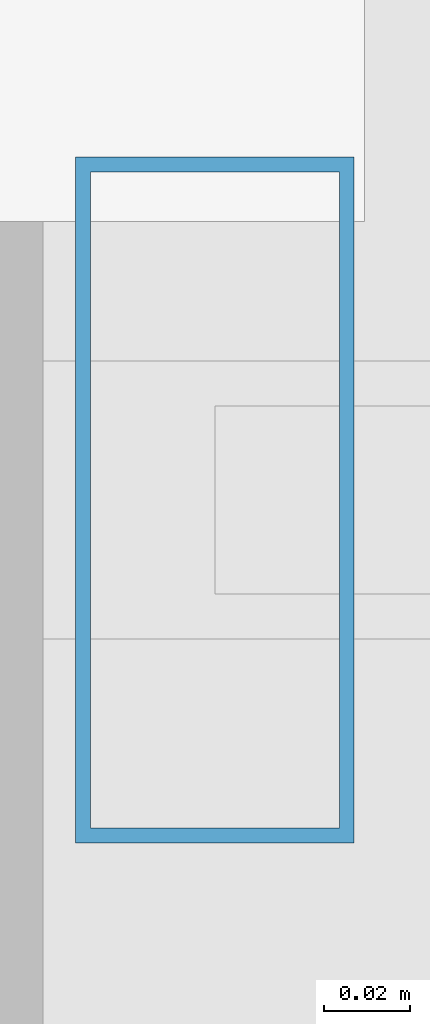
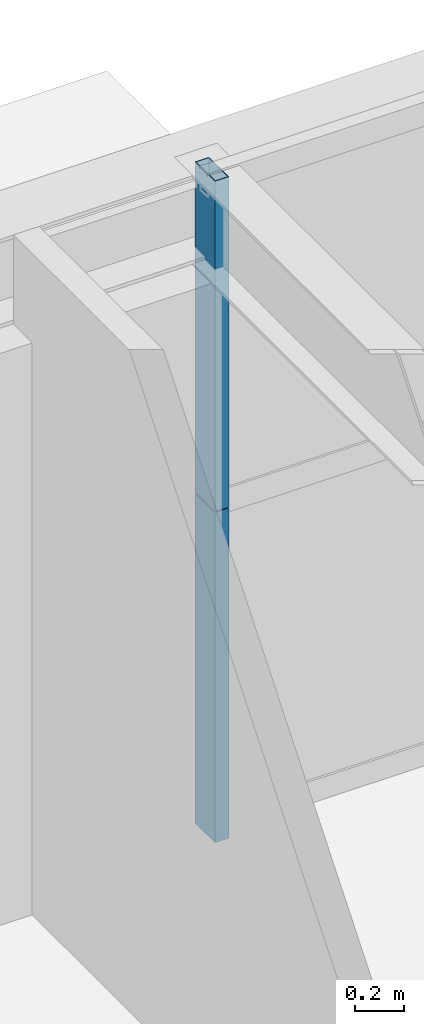
# One storey, part 24 of 37: 2 members, 1 element without a shape of its own.
"""IFC4 building model written with IfcOpenShell, lengths in metres."""

from ifc_helpers import new_model, si_unit, direction, frame, origin, origin_2d, place, context, subcontext, project, spatial, hollow_rectangle, extrude, source, transform, mapped, material, layer, layer_set, material_profile, profile_set, type_object, element, aggregate, save


model = new_model("IFC4")

# Units and contexts
model_context = context("Model", 3, precision=1e-05, world=origin(), true_north=direction((0.0, 1.0)))
body_context = subcontext(model_context, "Body", "Model", "MODEL_VIEW")
ifc_project = project(units=[si_unit("LENGTHUNIT", "METRE"), si_unit("AREAUNIT", "SQUARE_METRE"), si_unit("VOLUMEUNIT", "CUBIC_METRE"), si_unit("PLANEANGLEUNIT", "RADIAN"), si_unit("MASSUNIT", "GRAM", prefix="KILO"), si_unit("THERMODYNAMICTEMPERATUREUNIT", "KELVIN"), si_unit("POWERUNIT", "WATT")], contexts=[model_context])

# Site, building, storey
site_placement = place(None, origin())
site = spatial("IfcSite", under=ifc_project, at=site_placement, CompositionType="ELEMENT")
building_placement = place(site_placement, origin())
building = spatial("IfcBuilding", under=site, at=building_placement, Name="Yuzanri Waterfront Tower", CompositionType="ELEMENT")
storey_placement = place(building_placement, frame((0.0, 0.0, 252.10009765625)))
storey = spatial("IfcBuildingStorey", under=building, at=storey_placement, Name="L67", CompositionType="ELEMENT", Elevation=252.10009765625)

# Curtain wall, members
ifc_material_1 = material(Name="Anodized Architectural Bronze", Category="metal")
ifc_layer = layer(ifc_material_1, 0.159912109375)
ifc_layer_set = layer_set([ifc_layer], Name="Anodized Architectural Bronze")
curtain_wall_type = type_object("IfcCurtainWallType", Name="Anodized Bronze Mid-Rise Residential Acoustic Unitized Curtain Wall 7200", PredefinedType="NOTDEFINED", material=ifc_layer_set)
curtain_wall_placement = place(storey_placement, origin())
curtain_wall = element("IfcCurtainWall", 1, at=curtain_wall_placement, inside=storey, type_object=curtain_wall_type, Name="L67 Curtain Wall CW-L67-NL", PredefinedType="NOTDEFINED")
ifc_material_2 = material(Name="Anodized Architectural Bronze", Category="metal")
ifc_material_profile = material_profile(ifc_material_2, hollow_rectangle(XDim=0.06494140625, YDim=0.159912109375, WallThickness=0.00341796875, at=origin_2d()), Name="CWM 65x160")
ifc_profile_set = profile_set([ifc_material_profile], Name="Anodized Architectural Bronze")
member_type = type_object("IfcMemberType", Name="Anodized Bronze Upper-Zone Curtain-Wall Mullion 65x160", PredefinedType="MULLION", material=ifc_profile_set)
shared_shape = source(origin(), body_context, "Body", "SweptSolid", [
    extrude(hollow_rectangle(XDim=0.06494140625, YDim=0.159912109375, WallThickness=0.00341796875, at=origin_2d()), origin(), (0.0, 0.0, 1.0), 1.637939453125),
])
member_1_placement = place(storey_placement, frame((23.7900390625, 46.25, 0.0), z_axis=(0.0, 0.0, 1.0), x_axis=(1.0, 0.0, 0.0)))
member_1 = element("IfcMember", 2, at=member_1_placement, type_object=member_type, Name="CW-L67-NL Lower Mullion 00", PredefinedType="MULLION", context=body_context, shape_type="MappedRepresentation", body=[
    mapped(shared_shape, transform((0.0, 0.0, 0.0), scale=1.0)),
])
member_2_placement = place(storey_placement, frame((23.7900390625, 46.25, 1.641845703125), z_axis=(0.0, 0.0, 1.0), x_axis=(1.0, 0.0, 0.0)))
member_2 = element("IfcMember", 3, at=member_2_placement, type_object=member_type, Name="CW-L67-NL Upper Mullion 00", PredefinedType="MULLION", context=body_context, shape_type="MappedRepresentation", body=[
    mapped(shared_shape, transform((0.0, 0.0, 0.0), scale=1.0)),
])
aggregate(curtain_wall, [member_1, member_2])

save(model, "model.ifc")
